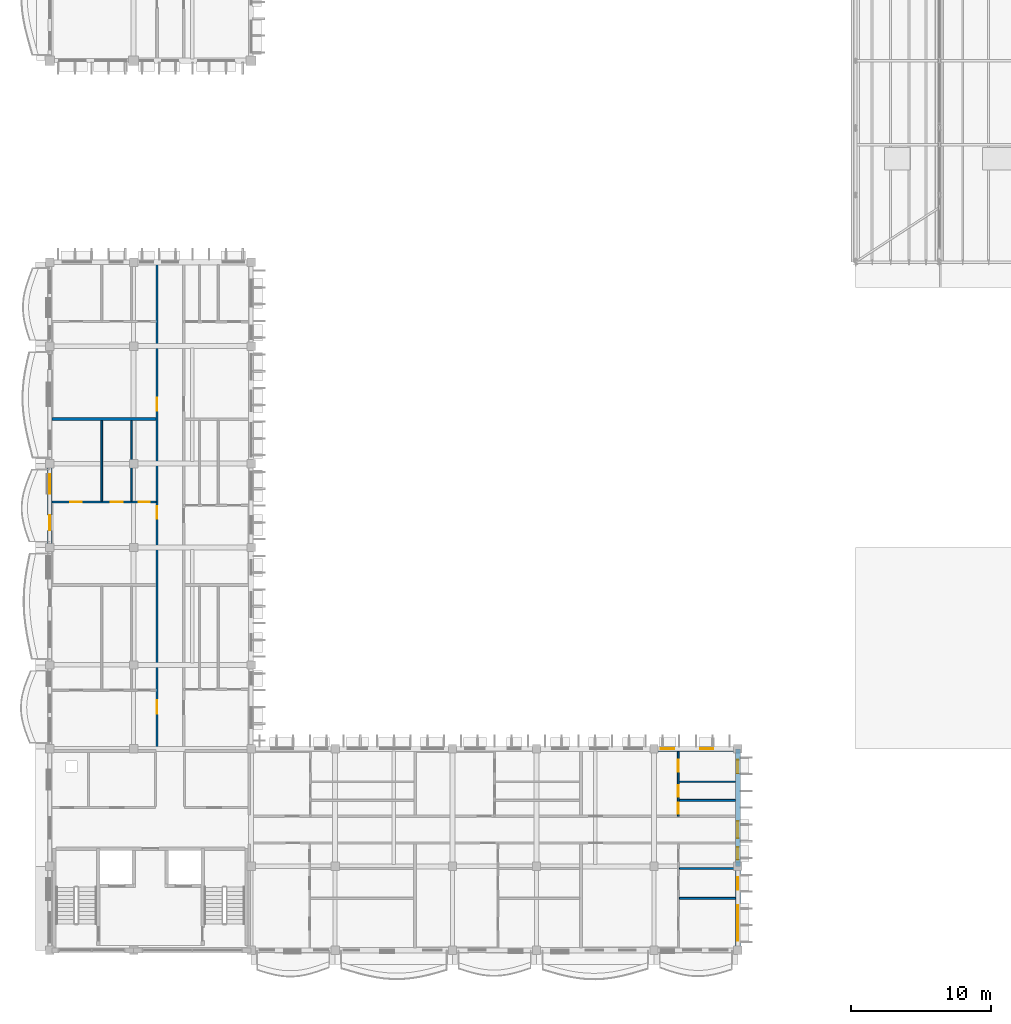
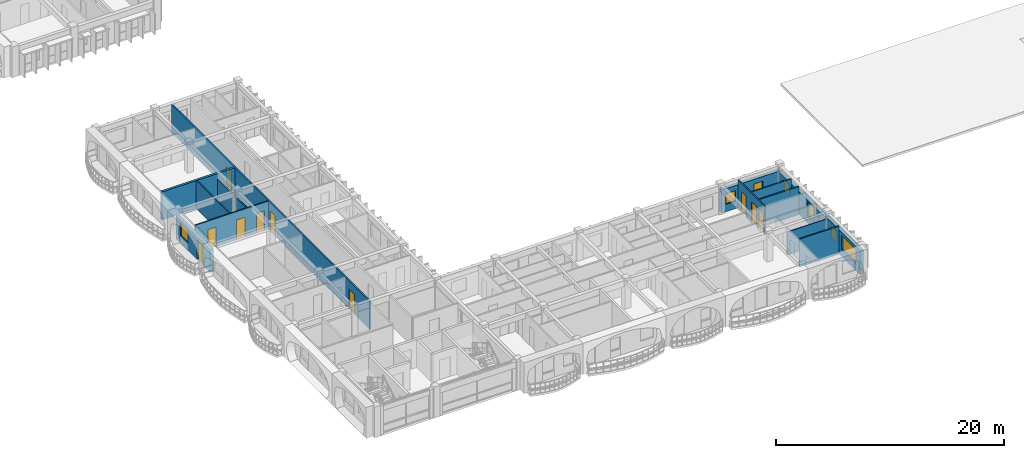
# One storey, part 45 of 101: 14 walls, 10 doors, 8 windows, 18 openings.
"""IFC4 building model written with IfcOpenShell, lengths in metres."""

from ifc_helpers import new_model, si_unit, direction, frame, frame_2d, origin, place, context, subcontext, project, spatial, rectangle, extrude, material, layer, layer_set, type_object, element, fill, save


model = new_model("IFC4")

# Units and contexts
model_context = context("Model", 3, precision=1e-05, world=origin(), true_north=direction((0.0, 1.0)))
body_context = subcontext(model_context, "Body", "Model", "MODEL_VIEW")
ifc_project = project(units=[si_unit("LENGTHUNIT", "METRE"), si_unit("AREAUNIT", "SQUARE_METRE"), si_unit("VOLUMEUNIT", "CUBIC_METRE"), si_unit("PLANEANGLEUNIT", "RADIAN"), si_unit("MASSUNIT", "GRAM", prefix="KILO"), si_unit("THERMODYNAMICTEMPERATUREUNIT", "KELVIN")], contexts=[model_context])

# Site, building, storey
site_placement = place(None, origin())
site = spatial("IfcSite", under=ifc_project, at=site_placement, CompositionType="ELEMENT")
building_placement = place(site_placement, origin())
building = spatial("IfcBuilding", under=site, at=building_placement, Name="Thalorik Housing Commons", CompositionType="ELEMENT")
storey_placement = place(building_placement, frame((0.0, 0.0, 8.10009765625)))
storey = spatial("IfcBuildingStorey", under=building, at=storey_placement, Name="L02", CompositionType="ELEMENT", Elevation=8.10009765625)

# Wall, openings, doors
ifc_material_1 = material(Name="Masonry fire-rated corridor wall", Category="masonry")
ifc_layer_1 = layer(ifc_material_1, 0.14990234375, Name="Masonry fire-rated corridor wall", Category="masonry")
ifc_layer_set_1 = layer_set([ifc_layer_1], Name="Masonry fire-rated corridor wall")
wall_type_1 = type_object("IfcWallType", Name="ARC-WAL-CORR-150", PredefinedType="PARTITIONING", material=ifc_layer_set_1)
wall_1_placement = place(storey_placement, frame((16.080078125, 22.659912109375, 0.0), z_axis=(0.0, 0.0, 1.0), x_axis=(0.0, 1.0, 0.0)))
wall_1 = element("IfcWall", 1, at=wall_1_placement, inside=storey, type_object=wall_type_1, Name="L02 Block C W Corridor Wall 1", PredefinedType="PARTITIONING", context=body_context, shape_type="SweptSolid", body=[
    extrude(rectangle(XDim=34.76318359375, YDim=0.14990234375, at=frame_2d((17.381591796875, 0.0))), origin(), (0.0, 0.0, 1.0), 3.0),
])
opening_1_placement = place(wall_1_placement, frame((2.671630859375, 0.0, 0.0)))
opening_1 = element("IfcOpeningElement", 2, at=opening_1_placement, cuts=wall_1, Name="Opening ID-1620", PredefinedType="OPENING", context=body_context, shape_type="SweptSolid", body=[
    extrude(rectangle(XDim=0.9599609375, YDim=2.1201171875, at=frame_2d((0.47998046875, 1.06005859375))), frame((0.0, 0.0849609375, 0.0), z_axis=(0.0, -1.0, 0.0), x_axis=(1.0, 0.0, 0.0)), (0.0, 0.0, 1.0), 0.169921875),
])
opening_2_placement = place(wall_1_placement, frame((16.580078125, 0.0, 0.0)))
opening_2 = element("IfcOpeningElement", 3, at=opening_2_placement, cuts=wall_1, Name="Opening ID-1621", PredefinedType="OPENING", context=body_context, shape_type="SweptSolid", body=[
    extrude(rectangle(XDim=0.919921875, YDim=2.10009765625, at=frame_2d((0.4599609375, 1.050048828125))), frame((0.0, 0.0849609375, 0.0), z_axis=(0.0, -1.0, 0.0), x_axis=(1.0, 0.0, 0.0)), (0.0, 0.0, 1.0), 0.169921875),
])
opening_3_placement = place(wall_1_placement, frame((24.31494140625, 0.0, 0.0)))
opening_3 = element("IfcOpeningElement", 4, at=opening_3_placement, cuts=wall_1, Name="Opening ID-1622", PredefinedType="OPENING", context=body_context, shape_type="SweptSolid", body=[
    extrude(rectangle(XDim=0.919921875, YDim=2.10009765625, at=frame_2d((0.4599609375, 1.050048828125))), frame((0.0, 0.0849609375, 0.0), z_axis=(0.0, -1.0, 0.0), x_axis=(1.0, 0.0, 0.0)), (0.0, 0.0, 1.0), 0.169921875),
])
ifc_material_2 = material(Name="Solid core hardwood timber", Category="wood")
door_type_1 = type_object("IfcDoorType", Name="ARC-DR-FD30-920", OperationType="NOTDEFINED", PredefinedType="DOOR", material=ifc_material_2)
door_1_placement = place(opening_2_placement, origin())
door_1 = element("IfcDoor", 5, at=door_1_placement, inside=storey, type_object=door_type_1, Name="L02 Flat CW-2A Entrance Door", OperationType="SINGLE_SWING_RIGHT", OverallHeight=2.10009765625, OverallWidth=0.919921875, PredefinedType="DOOR", context=body_context, shape_type="SweptSolid", body=[
    extrude(rectangle(XDim=0.919921875, YDim=2.10009765625, at=frame_2d((0.4599609375, 1.050048828125))), frame((0.0, 0.02490234375, 0.0), z_axis=(0.0, -1.0, 0.0), x_axis=(1.0, 0.0, 0.0)), (0.0, 0.0, 1.0), 0.050048828125),
])
fill(opening_2, door_1)
door_2_placement = place(opening_3_placement, origin())
door_2 = element("IfcDoor", 6, at=door_2_placement, inside=storey, type_object=door_type_1, Name="L02 Flat CW-3A Entrance Door", OperationType="SINGLE_SWING_LEFT", OverallHeight=2.10009765625, OverallWidth=0.919921875, PredefinedType="DOOR", context=body_context, shape_type="SweptSolid", body=[
    extrude(rectangle(XDim=0.919921875, YDim=2.10009765625, at=frame_2d((0.4599609375, 1.050048828125))), frame((0.0, 0.02490234375, 0.0), z_axis=(0.0, -1.0, 0.0), x_axis=(1.0, 0.0, 0.0)), (0.0, 0.0, 1.0), 0.050048828125),
])
fill(opening_3, door_2)
door_type_2 = type_object("IfcDoorType", Name="ARC-DR-FD30-960", OperationType="NOTDEFINED", PredefinedType="DOOR", material=ifc_material_2)
door_3_placement = place(opening_1_placement, origin())
door_3 = element("IfcDoor", 7, at=door_3_placement, inside=storey, type_object=door_type_2, Name="L02 Flat CW-1A Entrance Door", OperationType="SINGLE_SWING_LEFT", OverallHeight=2.1201171875, OverallWidth=0.9599609375, PredefinedType="DOOR", context=body_context, shape_type="SweptSolid", body=[
    extrude(rectangle(XDim=0.9599609375, YDim=2.1201171875, at=frame_2d((0.47998046875, 1.06005859375))), frame((0.0, 0.02490234375, 0.0), z_axis=(0.0, -1.0, 0.0), x_axis=(1.0, 0.0, 0.0)), (0.0, 0.0, 1.0), 0.050048828125),
])
fill(opening_1, door_3)

# Wall, openings, door, window
ifc_material_3 = material(Name="White precast concrete C40/50", Category="concrete")
ifc_layer_2 = layer(ifc_material_3, 0.35009765625, Name="White precast concrete C40/50", Category="concrete")
ifc_layer_set_2 = layer_set([ifc_layer_2], Name="White precast concrete C40/50")
wall_type_2 = type_object("IfcWallType", Name="ARC-WAL-EXT-350", PredefinedType="STANDARD", material=ifc_layer_set_2)
wall_2_placement = place(storey_placement, frame((8.39990234375, 43.199951171875, 0.0), z_axis=(0.0, 0.0, 1.0), x_axis=(0.0, -1.0, 0.0)))
wall_2 = element("IfcWall", 8, at=wall_2_placement, inside=storey, type_object=wall_type_2, Name="L02 Exterior Wall WAL-EXT-L02-C-0886", PredefinedType="STANDARD", context=body_context, shape_type="SweptSolid", body=[
    extrude(rectangle(XDim=6.0, YDim=0.35009765625, at=frame_2d((3.0, 0.0))), origin(), (0.0, 0.0, 1.0), 2.44482421875),
])
opening_4_placement = place(wall_2_placement, frame((3.679931640625, 0.0, 0.0)))
opening_4 = element("IfcOpeningElement", 9, at=opening_4_placement, cuts=wall_2, Name="Opening ED-0290", PredefinedType="OPENING", context=body_context, shape_type="SweptSolid", body=[
    extrude(rectangle(XDim=1.10009765625, YDim=2.14990234375, at=frame_2d((0.550048828125, 1.074951171875))), frame((0.0, 0.18505859375, 0.0), z_axis=(0.0, -1.0, 0.0), x_axis=(1.0, 0.0, 0.0)), (0.0, 0.0, 1.0), 0.3701171875),
])
opening_5_placement = place(wall_2_placement, frame((0.780029296875, 0.0, 0.780029296875)))
opening_5 = element("IfcOpeningElement", 10, at=opening_5_placement, cuts=wall_2, Name="Opening W-49", PredefinedType="OPENING", context=body_context, shape_type="SweptSolid", body=[
    extrude(rectangle(XDim=1.3798828125, YDim=1.47998046875, at=frame_2d((0.68994140625, 0.739990234375))), frame((0.0, 0.18505859375, 0.0), z_axis=(0.0, -1.0, 0.0), x_axis=(1.0, 0.0, 0.0)), (0.0, 0.0, 1.0), 0.3701171875),
])
ifc_material_4 = material(Name="Anodised aluminium and laminated safety glass", Category="aluminium")
door_type_3 = type_object("IfcDoorType", Name="ARC-DR-BAL-1100", OperationType="NOTDEFINED", PredefinedType="DOOR", material=ifc_material_4)
door_4_placement = place(opening_4_placement, frame((1.10009765625, 0.0, 0.0), z_axis=(0.0, 0.0, 1.0), x_axis=(-1.0, 0.0, 0.0)))
door_4 = element("IfcDoor", 11, at=door_4_placement, inside=storey, type_object=door_type_3, Name="L02 Block C Balcony Glazed Door", OperationType="SINGLE_SWING_LEFT", OverallHeight=2.14990234375, OverallWidth=1.10009765625, PredefinedType="DOOR", context=body_context, shape_type="SweptSolid", body=[
    extrude(rectangle(XDim=1.10009765625, YDim=2.14990234375, at=frame_2d((0.550048828125, 1.074951171875))), frame((0.0, 0.02490234375, 0.0), z_axis=(0.0, -1.0, 0.0), x_axis=(1.0, 0.0, 0.0)), (0.0, 0.0, 1.0), 0.050048828125),
])
fill(opening_4, door_4)
ifc_material_5 = material(Name="Anodised aluminium and solar-control low-E glass", Category="aluminium")
window_type_1 = type_object("IfcWindowType", Name="ARC-WIN-49", PartitioningType="SINGLE_PANEL", PredefinedType="WINDOW", material=ifc_material_5)
window_1_placement = place(opening_5_placement, origin())
window_1 = element("IfcWindow", 12, at=window_1_placement, inside=storey, type_object=window_type_1, Name="L02 Facade Window 1640", OverallHeight=1.47998046875, OverallWidth=1.3798828125, PartitioningType="SINGLE_PANEL", PredefinedType="WINDOW", context=body_context, shape_type="SweptSolid", body=[
    extrude(rectangle(XDim=1.3798828125, YDim=1.47998046875, at=frame_2d((0.68994140625, 0.739990234375))), frame((0.0, 0.030029296875, 0.0), z_axis=(0.0, -1.0, 0.0), x_axis=(1.0, 0.0, 0.0)), (0.0, 0.0, 1.0), 0.06005859375),
])
fill(opening_5, window_1)

# Wall, openings, windows
wall_3_placement = place(storey_placement, frame((57.60009765625, 8.39990234375, 0.0), z_axis=(0.0, 0.0, 1.0), x_axis=(0.0, 1.0, 0.0)))
wall_3 = element("IfcWall", 13, at=wall_3_placement, inside=storey, type_object=wall_type_2, Name="L02 Exterior Wall WAL-EXT-L02-C-0898", PredefinedType="STANDARD", context=body_context, shape_type="SweptSolid", body=[
    extrude(rectangle(XDim=6.0, YDim=0.35009765625, at=frame_2d((3.0, 0.0))), origin(), (0.0, 0.0, 1.0), 2.574951171875),
])
opening_6_placement = place(wall_3_placement, frame((0.69384765625, 0.0, 0.780029296875)))
opening_6 = element("IfcOpeningElement", 14, at=opening_6_placement, cuts=wall_3, Name="Opening W-72", PredefinedType="OPENING", context=body_context, shape_type="SweptSolid", body=[
    extrude(rectangle(XDim=2.52001953125, YDim=1.5, at=frame_2d((1.260009765625, 0.75))), frame((0.0, 0.18505859375, 0.0), z_axis=(0.0, -1.0, 0.0), x_axis=(1.0, 0.0, 0.0)), (0.0, 0.0, 1.0), 0.3701171875),
])
opening_7_placement = place(wall_3_placement, frame((4.313720703125, 0.0, 0.780029296875)))
opening_7 = element("IfcOpeningElement", 15, at=opening_7_placement, cuts=wall_3, Name="Opening W-01", PredefinedType="OPENING", context=body_context, shape_type="SweptSolid", body=[
    extrude(rectangle(XDim=0.89990234375, YDim=1.199951171875, at=frame_2d((0.449951171875, 0.60009765625))), frame((0.0, 0.18505859375, 0.0), z_axis=(0.0, -1.0, 0.0), x_axis=(1.0, 0.0, 0.0)), (0.0, 0.0, 1.0), 0.3701171875),
])
window_type_2 = type_object("IfcWindowType", Name="ARC-WIN-01", PartitioningType="SINGLE_PANEL", PredefinedType="WINDOW", material=ifc_material_5)
window_2_placement = place(opening_7_placement, origin())
window_2 = element("IfcWindow", 16, at=window_2_placement, inside=storey, type_object=window_type_2, Name="L02 Facade Window 1659", OverallHeight=1.199951171875, OverallWidth=0.89990234375, PartitioningType="SINGLE_PANEL", PredefinedType="WINDOW", context=body_context, shape_type="SweptSolid", body=[
    extrude(rectangle(XDim=0.89990234375, YDim=1.199951171875, at=frame_2d((0.449951171875, 0.60009765625))), frame((0.0, 0.030029296875, 0.0), z_axis=(0.0, -1.0, 0.0), x_axis=(1.0, 0.0, 0.0)), (0.0, 0.0, 1.0), 0.06005859375),
])
fill(opening_7, window_2)
window_type_3 = type_object("IfcWindowType", Name="ARC-WIN-72", PartitioningType="DOUBLE_PANEL_VERTICAL", PredefinedType="WINDOW", material=ifc_material_5)
window_3_placement = place(opening_6_placement, origin())
window_3 = element("IfcWindow", 17, at=window_3_placement, inside=storey, type_object=window_type_3, Name="L02 Facade Window 1658", OverallHeight=1.5, OverallWidth=2.52001953125, PartitioningType="DOUBLE_PANEL_VERTICAL", PredefinedType="WINDOW", context=body_context, shape_type="SweptSolid", body=[
    extrude(rectangle(XDim=2.52001953125, YDim=1.5, at=frame_2d((1.260009765625, 0.75))), frame((0.0, 0.030029296875, 0.0), z_axis=(0.0, -1.0, 0.0), x_axis=(1.0, 0.0, 0.0)), (0.0, 0.0, 1.0), 0.06005859375),
])
fill(opening_6, window_3)

wall_4_placement = place(storey_placement, frame((57.60009765625, 14.39990234375, 0.0), z_axis=(0.0, 0.0, 1.0), x_axis=(0.0, 1.0, 0.0)))
wall_4 = element("IfcWall", 18, at=wall_4_placement, inside=storey, type_object=wall_type_2, Name="L02 Exterior Wall WAL-EXT-L02-C-0899", PredefinedType="STANDARD", context=body_context, shape_type="SweptSolid", body=[
    extrude(rectangle(XDim=8.400146484375, YDim=0.35009765625, at=frame_2d((4.2001953125, 0.0))), origin(), (0.0, 0.0, 1.0), 2.4248046875),
])
opening_8_placement = place(wall_4_placement, frame((0.485107421875, 0.0, 0.780029296875)))
opening_8 = element("IfcOpeningElement", 19, at=opening_8_placement, cuts=wall_4, Name="Opening W-01", PredefinedType="OPENING", context=body_context, shape_type="SweptSolid", body=[
    extrude(rectangle(XDim=0.89990234375, YDim=1.199951171875, at=frame_2d((0.449951171875, 0.60009765625))), frame((0.0, 0.18505859375, 0.0), z_axis=(0.0, -1.0, 0.0), x_axis=(1.0, 0.0, 0.0)), (0.0, 0.0, 1.0), 0.3701171875),
])
opening_9_placement = place(wall_4_placement, frame((2.030029296875, 0.0, 0.780029296875)))
opening_9 = element("IfcOpeningElement", 20, at=opening_9_placement, cuts=wall_4, Name="Opening W-05", PredefinedType="OPENING", context=body_context, shape_type="SweptSolid", body=[
    extrude(rectangle(XDim=1.199951171875, YDim=1.5, at=frame_2d((0.60009765625, 0.75))), frame((0.0, 0.18505859375, 0.0), z_axis=(0.0, -1.0, 0.0), x_axis=(1.0, 0.0, 0.0)), (0.0, 0.0, 1.0), 0.3701171875),
])
opening_10_placement = place(wall_4_placement, frame((6.65771484375, 0.0, 0.780029296875)))
opening_10 = element("IfcOpeningElement", 21, at=opening_10_placement, cuts=wall_4, Name="Opening W-43", PredefinedType="OPENING", context=body_context, shape_type="SweptSolid", body=[
    extrude(rectangle(XDim=0.949951171875, YDim=1.14990234375, at=frame_2d((0.47509765625, 0.574951171875))), frame((0.0, 0.18505859375, 0.0), z_axis=(0.0, -1.0, 0.0), x_axis=(1.0, 0.0, 0.0)), (0.0, 0.0, 1.0), 0.3701171875),
])
window_4_placement = place(opening_8_placement, origin())
window_4 = element("IfcWindow", 22, at=window_4_placement, inside=storey, type_object=window_type_2, Name="L02 Facade Window 1660", OverallHeight=1.199951171875, OverallWidth=0.89990234375, PartitioningType="SINGLE_PANEL", PredefinedType="WINDOW", context=body_context, shape_type="SweptSolid", body=[
    extrude(rectangle(XDim=0.89990234375, YDim=1.199951171875, at=frame_2d((0.449951171875, 0.60009765625))), frame((0.0, 0.030029296875, 0.0), z_axis=(0.0, -1.0, 0.0), x_axis=(1.0, 0.0, 0.0)), (0.0, 0.0, 1.0), 0.06005859375),
])
fill(opening_8, window_4)
window_type_4 = type_object("IfcWindowType", Name="ARC-WIN-05", PartitioningType="SINGLE_PANEL", PredefinedType="WINDOW", material=ifc_material_5)
window_5_placement = place(opening_9_placement, origin())
window_5 = element("IfcWindow", 23, at=window_5_placement, inside=storey, type_object=window_type_4, Name="L02 Facade Window 1661", OverallHeight=1.5, OverallWidth=1.199951171875, PartitioningType="SINGLE_PANEL", PredefinedType="WINDOW", context=body_context, shape_type="SweptSolid", body=[
    extrude(rectangle(XDim=1.199951171875, YDim=1.5, at=frame_2d((0.60009765625, 0.75))), frame((0.0, 0.030029296875, 0.0), z_axis=(0.0, -1.0, 0.0), x_axis=(1.0, 0.0, 0.0)), (0.0, 0.0, 1.0), 0.06005859375),
])
fill(opening_9, window_5)
window_type_5 = type_object("IfcWindowType", Name="ARC-WIN-43", PartitioningType="SINGLE_PANEL", PredefinedType="WINDOW", material=ifc_material_5)
window_6_placement = place(opening_10_placement, origin())
window_6 = element("IfcWindow", 24, at=window_6_placement, inside=storey, type_object=window_type_5, Name="L02 Facade Window 1662", OverallHeight=1.14990234375, OverallWidth=0.949951171875, PartitioningType="SINGLE_PANEL", PredefinedType="WINDOW", context=body_context, shape_type="SweptSolid", body=[
    extrude(rectangle(XDim=0.949951171875, YDim=1.14990234375, at=frame_2d((0.47509765625, 0.574951171875))), frame((0.0, 0.030029296875, 0.0), z_axis=(0.0, -1.0, 0.0), x_axis=(1.0, 0.0, 0.0)), (0.0, 0.0, 1.0), 0.06005859375),
])
fill(opening_10, window_6)

wall_5_placement = place(storey_placement, frame((57.60009765625, 22.800048828125, 0.0), z_axis=(0.0, 0.0, 1.0), x_axis=(-1.0, 0.0, 0.0)))
wall_5 = element("IfcWall", 25, at=wall_5_placement, inside=storey, type_object=wall_type_2, Name="L02 Exterior Wall WAL-EXT-L02-C-0900", PredefinedType="STANDARD", context=body_context, shape_type="SweptSolid", body=[
    extrude(rectangle(XDim=6.0, YDim=0.35009765625, at=frame_2d((3.0, 0.0))), origin(), (0.0, 0.0, 1.0), 2.474853515625),
])
opening_11_placement = place(wall_5_placement, frame((1.776611328125, 0.0, 0.780029296875)))
opening_11 = element("IfcOpeningElement", 26, at=opening_11_placement, cuts=wall_5, Name="Opening W-01", PredefinedType="OPENING", context=body_context, shape_type="SweptSolid", body=[
    extrude(rectangle(XDim=0.89990234375, YDim=1.199951171875, at=frame_2d((0.449951171875, 0.60009765625))), frame((0.0, 0.18505859375, 0.0), z_axis=(0.0, -1.0, 0.0), x_axis=(1.0, 0.0, 0.0)), (0.0, 0.0, 1.0), 0.3701171875),
])
opening_12_placement = place(wall_5_placement, frame((4.5615234375, 0.0, 0.780029296875)))
opening_12 = element("IfcOpeningElement", 27, at=opening_12_placement, cuts=wall_5, Name="Opening W-43", PredefinedType="OPENING", context=body_context, shape_type="SweptSolid", body=[
    extrude(rectangle(XDim=0.949951171875, YDim=1.14990234375, at=frame_2d((0.47509765625, 0.574951171875))), frame((0.0, 0.18505859375, 0.0), z_axis=(0.0, -1.0, 0.0), x_axis=(1.0, 0.0, 0.0)), (0.0, 0.0, 1.0), 0.3701171875),
])
window_7_placement = place(opening_11_placement, origin())
window_7 = element("IfcWindow", 28, at=window_7_placement, inside=storey, type_object=window_type_2, Name="L02 Facade Window 1663", OverallHeight=1.199951171875, OverallWidth=0.89990234375, PartitioningType="SINGLE_PANEL", PredefinedType="WINDOW", context=body_context, shape_type="SweptSolid", body=[
    extrude(rectangle(XDim=0.89990234375, YDim=1.199951171875, at=frame_2d((0.449951171875, 0.60009765625))), frame((0.0, 0.030029296875, 0.0), z_axis=(0.0, -1.0, 0.0), x_axis=(1.0, 0.0, 0.0)), (0.0, 0.0, 1.0), 0.06005859375),
])
fill(opening_11, window_7)
window_8_placement = place(opening_12_placement, origin())
window_8 = element("IfcWindow", 29, at=window_8_placement, inside=storey, type_object=window_type_5, Name="L02 Facade Window 1664", OverallHeight=1.14990234375, OverallWidth=0.949951171875, PartitioningType="SINGLE_PANEL", PredefinedType="WINDOW", context=body_context, shape_type="SweptSolid", body=[
    extrude(rectangle(XDim=0.949951171875, YDim=1.14990234375, at=frame_2d((0.47509765625, 0.574951171875))), frame((0.0, 0.030029296875, 0.0), z_axis=(0.0, -1.0, 0.0), x_axis=(1.0, 0.0, 0.0)), (0.0, 0.0, 1.0), 0.06005859375),
])
fill(opening_12, window_8)

# Walls
ifc_material_6 = material(Name="Gypsum light stud partition", Category="masonry")
ifc_layer_3 = layer(ifc_material_6, 0.10009765625, Name="Gypsum light stud partition", Category="masonry")
ifc_layer_set_3 = layer_set([ifc_layer_3], Name="Gypsum light stud partition")
wall_type_3 = type_object("IfcWallType", Name="ARC-WAL-PART-100", PredefinedType="PARTITIONING", material=ifc_layer_set_3)
wall_6_placement = place(storey_placement, frame((14.251220703125, 40.514404296875, 0.0), z_axis=(0.0, 0.0, 1.0), x_axis=(0.0, 1.0, 0.0)))
element("IfcWall", 30, at=wall_6_placement, inside=storey, type_object=wall_type_3, Name="L02 Unit 2 Wet Wall", PredefinedType="PARTITIONING", context=body_context, shape_type="SweptSolid", body=[
    extrude(rectangle(XDim=5.753662109375, YDim=0.10009765625, at=frame_2d((2.876953125, 0.0))), origin(), (0.0, 0.0, 1.0), 2.4248046875),
])
wall_7_placement = place(storey_placement, frame((53.396240234375, 20.455078125, 0.0), z_axis=(0.0, 0.0, 1.0), x_axis=(1.0, 0.0, 0.0)))
element("IfcWall", 31, at=wall_7_placement, inside=storey, type_object=wall_type_3, Name="L02 Unit 3B Bedroom Partition", PredefinedType="PARTITIONING", context=body_context, shape_type="SweptSolid", body=[
    extrude(rectangle(XDim=4.02685546875, YDim=0.10009765625, at=frame_2d((2.013427734375, 0.0))), origin(), (0.0, 0.0, 1.0), 3.0),
])
ifc_material_7 = material(Name="Gypsum moisture-resistant partition", Category="masonry")
ifc_layer_4 = layer(ifc_material_7, 0.114990234375, Name="Gypsum moisture-resistant partition", Category="masonry")
ifc_layer_set_4 = layer_set([ifc_layer_4], Name="Gypsum moisture-resistant partition")
wall_type_4 = type_object("IfcWallType", Name="ARC-WAL-PART-115", PredefinedType="PARTITIONING", material=ifc_layer_set_4)
wall_8_placement = place(storey_placement, frame((12.11767578125, 40.514404296875, 0.0), z_axis=(0.0, 0.0, 1.0), x_axis=(0.0, 1.0, 0.0)))
element("IfcWall", 32, at=wall_8_placement, inside=storey, type_object=wall_type_4, Name="L02 Unit 2 Bedroom Partition", PredefinedType="PARTITIONING", context=body_context, shape_type="SweptSolid", body=[
    extrude(rectangle(XDim=5.753662109375, YDim=0.114990234375, at=frame_2d((2.876953125, 0.0))), origin(), (0.0, 0.0, 1.0), 3.0),
])

# Wall, openings, doors
wall_9_placement = place(storey_placement, frame((53.3369140625, 17.97998046875, 0.0), z_axis=(0.0, 0.0, 1.0), x_axis=(0.0, 1.0, 0.0)))
wall_9 = element("IfcWall", 33, at=wall_9_placement, inside=storey, type_object=wall_type_4, Name="L02 Unit 3B Spine Partition", PredefinedType="PARTITIONING", context=body_context, shape_type="SweptSolid", body=[
    extrude(rectangle(XDim=4.64306640625, YDim=0.114990234375, at=frame_2d((2.321533203125, 0.0))), origin(), (0.0, 0.0, 1.0), 3.0),
])
opening_13_placement = place(wall_9_placement, frame((0.171142578125, 0.0, 0.0)))
opening_13 = element("IfcOpeningElement", 34, at=opening_13_placement, cuts=wall_9, Name="Opening ID-1641", PredefinedType="OPENING", context=body_context, shape_type="SweptSolid", body=[
    extrude(rectangle(XDim=0.800048828125, YDim=2.10009765625, at=frame_2d((0.39990234375, 1.050048828125))), frame((0.0, 0.0673828125, 0.0), z_axis=(0.0, -1.0, 0.0), x_axis=(1.0, 0.0, 0.0)), (0.0, 0.0, 1.0), 0.135009765625),
])
opening_14_placement = place(wall_9_placement, frame((1.3837890625, 0.0, 0.0)))
opening_14 = element("IfcOpeningElement", 35, at=opening_14_placement, cuts=wall_9, Name="Opening ID-1642", PredefinedType="OPENING", context=body_context, shape_type="SweptSolid", body=[
    extrude(rectangle(XDim=0.85009765625, YDim=2.10009765625, at=frame_2d((0.425048828125, 1.050048828125))), frame((0.0, 0.0673828125, 0.0), z_axis=(0.0, -1.0, 0.0), x_axis=(1.0, 0.0, 0.0)), (0.0, 0.0, 1.0), 0.135009765625),
])
opening_15_placement = place(wall_9_placement, frame((3.192626953125, 0.0, 0.0)))
opening_15 = element("IfcOpeningElement", 36, at=opening_15_placement, cuts=wall_9, Name="Opening ID-1643", PredefinedType="OPENING", context=body_context, shape_type="SweptSolid", body=[
    extrude(rectangle(XDim=0.85009765625, YDim=2.10009765625, at=frame_2d((0.425048828125, 1.050048828125))), frame((0.0, 0.0673828125, 0.0), z_axis=(0.0, -1.0, 0.0), x_axis=(1.0, 0.0, 0.0)), (0.0, 0.0, 1.0), 0.135009765625),
])
ifc_material_8 = material(Name="Moisture-resistant timber", Category="wood")
door_type_4 = type_object("IfcDoorType", Name="ARC-DR-INT-800", OperationType="NOTDEFINED", PredefinedType="DOOR", material=ifc_material_8)
door_5_placement = place(opening_13_placement, origin())
door_5 = element("IfcDoor", 37, at=door_5_placement, inside=storey, type_object=door_type_4, Name="L02 Accessible Bathroom Door", OperationType="SINGLE_SWING_RIGHT", OverallHeight=2.10009765625, OverallWidth=0.800048828125, PredefinedType="DOOR", context=body_context, shape_type="SweptSolid", body=[
    extrude(rectangle(XDim=0.800048828125, YDim=2.10009765625, at=frame_2d((0.39990234375, 1.050048828125))), frame((0.0, 0.02490234375, 0.0), z_axis=(0.0, -1.0, 0.0), x_axis=(1.0, 0.0, 0.0)), (0.0, 0.0, 1.0), 0.050048828125),
])
fill(opening_13, door_5)
ifc_material_9 = material(Name="Engineered oak timber", Category="wood")
door_type_5 = type_object("IfcDoorType", Name="ARC-DR-INT-850", OperationType="NOTDEFINED", PredefinedType="DOOR", material=ifc_material_9)
door_6_placement = place(opening_14_placement, origin())
door_6 = element("IfcDoor", 38, at=door_6_placement, inside=storey, type_object=door_type_5, Name="L02 Galley Kitchen Door", OperationType="SINGLE_SWING_LEFT", OverallHeight=2.10009765625, OverallWidth=0.85009765625, PredefinedType="DOOR", context=body_context, shape_type="SweptSolid", body=[
    extrude(rectangle(XDim=0.85009765625, YDim=2.10009765625, at=frame_2d((0.425048828125, 1.050048828125))), frame((0.0, 0.02490234375, 0.0), z_axis=(0.0, -1.0, 0.0), x_axis=(1.0, 0.0, 0.0)), (0.0, 0.0, 1.0), 0.050048828125),
])
fill(opening_14, door_6)
door_7_placement = place(opening_15_placement, origin())
door_7 = element("IfcDoor", 39, at=door_7_placement, inside=storey, type_object=door_type_5, Name="L02 Double Bedroom Door", OperationType="SINGLE_SWING_RIGHT", OverallHeight=2.10009765625, OverallWidth=0.85009765625, PredefinedType="DOOR", context=body_context, shape_type="SweptSolid", body=[
    extrude(rectangle(XDim=0.85009765625, YDim=2.10009765625, at=frame_2d((0.425048828125, 1.050048828125))), frame((0.0, 0.02490234375, 0.0), z_axis=(0.0, -1.0, 0.0), x_axis=(1.0, 0.0, 0.0)), (0.0, 0.0, 1.0), 0.050048828125),
])
fill(opening_15, door_7)

ifc_material_10 = material(Name="Gypsum acoustic stud partition", Category="masonry")
ifc_layer_5 = layer(ifc_material_10, 0.125, Name="Gypsum acoustic stud partition", Category="masonry")
ifc_layer_set_5 = layer_set([ifc_layer_5], Name="Gypsum acoustic stud partition")
wall_type_5 = type_object("IfcWallType", Name="ARC-WAL-PART-125", PredefinedType="PARTITIONING", material=ifc_layer_set_5)
wall_10_placement = place(storey_placement, frame((8.576904296875, 40.449951171875, 0.0), z_axis=(0.0, 0.0, 1.0), x_axis=(1.0, 0.0, 0.0)))
wall_10 = element("IfcWall", 40, at=wall_10_placement, inside=storey, type_object=wall_type_5, Name="L02 Unit 2 Spine Partition", PredefinedType="PARTITIONING", context=body_context, shape_type="SweptSolid", body=[
    extrude(rectangle(XDim=7.426025390625, YDim=0.125, at=frame_2d((3.712890625, 0.0))), origin(), (0.0, 0.0, 1.0), 3.0),
])
opening_16_placement = place(wall_10_placement, frame((1.286865234375, 0.0, 0.0)))
opening_16 = element("IfcOpeningElement", 41, at=opening_16_placement, cuts=wall_10, Name="Opening ID-1608", PredefinedType="OPENING", context=body_context, shape_type="SweptSolid", body=[
    extrude(rectangle(XDim=0.820068359375, YDim=2.080078125, at=frame_2d((0.41015625, 1.0400390625))), frame((0.0, 0.072509765625, 0.0), z_axis=(0.0, -1.0, 0.0), x_axis=(1.0, 0.0, 0.0)), (0.0, 0.0, 1.0), 0.14501953125),
])
opening_17_placement = place(wall_10_placement, frame((4.182373046875, 0.0, 0.0)))
opening_17 = element("IfcOpeningElement", 42, at=opening_17_placement, cuts=wall_10, Name="Opening ID-1609", PredefinedType="OPENING", context=body_context, shape_type="SweptSolid", body=[
    extrude(rectangle(XDim=0.85009765625, YDim=2.10009765625, at=frame_2d((0.425048828125, 1.050048828125))), frame((0.0, 0.072509765625, 0.0), z_axis=(0.0, -1.0, 0.0), x_axis=(1.0, 0.0, 0.0)), (0.0, 0.0, 1.0), 0.14501953125),
])
opening_18_placement = place(wall_10_placement, frame((6.188720703125, 0.0, 0.0)))
opening_18 = element("IfcOpeningElement", 43, at=opening_18_placement, cuts=wall_10, Name="Opening ID-1610", PredefinedType="OPENING", context=body_context, shape_type="SweptSolid", body=[
    extrude(rectangle(XDim=0.800048828125, YDim=2.10009765625, at=frame_2d((0.39990234375, 1.050048828125))), frame((0.0, 0.072509765625, 0.0), z_axis=(0.0, -1.0, 0.0), x_axis=(1.0, 0.0, 0.0)), (0.0, 0.0, 1.0), 0.14501953125),
])
door_8_placement = place(opening_18_placement, origin())
door_8 = element("IfcDoor", 44, at=door_8_placement, inside=storey, type_object=door_type_4, Name="L02 Flat Bathroom Door", OperationType="SINGLE_SWING_LEFT", OverallHeight=2.10009765625, OverallWidth=0.800048828125, PredefinedType="DOOR", context=body_context, shape_type="SweptSolid", body=[
    extrude(rectangle(XDim=0.800048828125, YDim=2.10009765625, at=frame_2d((0.39990234375, 1.050048828125))), frame((0.0, 0.02490234375, 0.0), z_axis=(0.0, -1.0, 0.0), x_axis=(1.0, 0.0, 0.0)), (0.0, 0.0, 1.0), 0.050048828125),
])
fill(opening_18, door_8)
door_type_6 = type_object("IfcDoorType", Name="ARC-DR-INT-820", OperationType="NOTDEFINED", PredefinedType="DOOR", material=ifc_material_9)
door_9_placement = place(opening_16_placement, origin())
door_9 = element("IfcDoor", 45, at=door_9_placement, inside=storey, type_object=door_type_6, Name="L02 Master Bedroom Door", OperationType="SINGLE_SWING_LEFT", OverallHeight=2.080078125, OverallWidth=0.820068359375, PredefinedType="DOOR", context=body_context, shape_type="SweptSolid", body=[
    extrude(rectangle(XDim=0.820068359375, YDim=2.080078125, at=frame_2d((0.41015625, 1.0400390625))), frame((0.0, 0.02490234375, 0.0), z_axis=(0.0, -1.0, 0.0), x_axis=(1.0, 0.0, 0.0)), (0.0, 0.0, 1.0), 0.050048828125),
])
fill(opening_16, door_9)
door_10_placement = place(opening_17_placement, origin())
door_10 = element("IfcDoor", 46, at=door_10_placement, inside=storey, type_object=door_type_5, Name="L02 Eat-In Kitchen Door", OperationType="SINGLE_SWING_RIGHT", OverallHeight=2.10009765625, OverallWidth=0.85009765625, PredefinedType="DOOR", context=body_context, shape_type="SweptSolid", body=[
    extrude(rectangle(XDim=0.85009765625, YDim=2.10009765625, at=frame_2d((0.425048828125, 1.050048828125))), frame((0.0, 0.02490234375, 0.0), z_axis=(0.0, -1.0, 0.0), x_axis=(1.0, 0.0, 0.0)), (0.0, 0.0, 1.0), 0.050048828125),
])
fill(opening_17, door_10)

# Walls
wall_11_placement = place(storey_placement, frame((53.412109375, 14.251220703125, 0.0), z_axis=(0.0, 0.0, 1.0), x_axis=(1.0, 0.0, 0.0)))
element("IfcWall", 47, at=wall_11_placement, inside=storey, type_object=wall_type_5, Name="L02 Unit 3 Wet Wall", PredefinedType="PARTITIONING", context=body_context, shape_type="SweptSolid", body=[
    extrude(rectangle(XDim=4.010986328125, YDim=0.125, at=frame_2d((2.00537109375, 0.0))), origin(), (0.0, 0.0, 1.0), 2.474853515625),
])
ifc_material_11 = material(Name="Ceramic masonry partition wall", Category="masonry")
ifc_layer_6 = layer(ifc_material_11, 0.139892578125, Name="Ceramic masonry partition wall", Category="masonry")
ifc_layer_set_6 = layer_set([ifc_layer_6], Name="Ceramic masonry partition wall")
wall_type_6 = type_object("IfcWallType", Name="ARC-WAL-PART-140", PredefinedType="PARTITIONING", material=ifc_layer_set_6)
wall_12_placement = place(storey_placement, frame((53.412109375, 12.11767578125, 0.0), z_axis=(0.0, 0.0, 1.0), x_axis=(1.0, 0.0, 0.0)))
element("IfcWall", 48, at=wall_12_placement, inside=storey, type_object=wall_type_6, Name="L02 Unit 3 Bedroom Partition", PredefinedType="PARTITIONING", context=body_context, shape_type="SweptSolid", body=[
    extrude(rectangle(XDim=4.010986328125, YDim=0.139892578125, at=frame_2d((2.00537109375, 0.0))), origin(), (0.0, 0.0, 1.0), 3.0),
])
wall_13_placement = place(storey_placement, frame((53.396240234375, 19.122314453125, 0.0), z_axis=(0.0, 0.0, 1.0), x_axis=(1.0, 0.0, 0.0)))
element("IfcWall", 49, at=wall_13_placement, inside=storey, type_object=wall_type_6, Name="L02 Unit 3B Wet Wall", PredefinedType="PARTITIONING", context=body_context, shape_type="SweptSolid", body=[
    extrude(rectangle(XDim=4.02685546875, YDim=0.139892578125, at=frame_2d((2.013427734375, 0.0))), origin(), (0.0, 0.0, 1.0), 3.0),
])
ifc_material_12 = material(Name="Precast concrete C40/50 acoustic wall", Category="concrete")
ifc_layer_7 = layer(ifc_material_12, 0.219970703125, Name="Precast concrete C40/50 acoustic wall", Category="concrete")
ifc_layer_set_7 = layer_set([ifc_layer_7], Name="Precast concrete C40/50 acoustic wall")
wall_type_7 = type_object("IfcWallType", Name="ARC-WAL-PARTY-220", PredefinedType="PARTITIONING", material=ifc_layer_set_7)
wall_14_placement = place(storey_placement, frame((8.576904296875, 46.3798828125, 0.0), z_axis=(0.0, 0.0, 1.0), x_axis=(1.0, 0.0, 0.0)))
element("IfcWall", 50, at=wall_14_placement, inside=storey, type_object=wall_type_7, Name="L02 Inter-Tenancy Wall 2A", PredefinedType="PARTITIONING", context=body_context, shape_type="SweptSolid", body=[
    extrude(rectangle(XDim=7.426025390625, YDim=0.219970703125, at=frame_2d((3.712890625, 0.0))), origin(), (0.0, 0.0, 1.0), 3.0),
])

save(model, "model.ifc")
